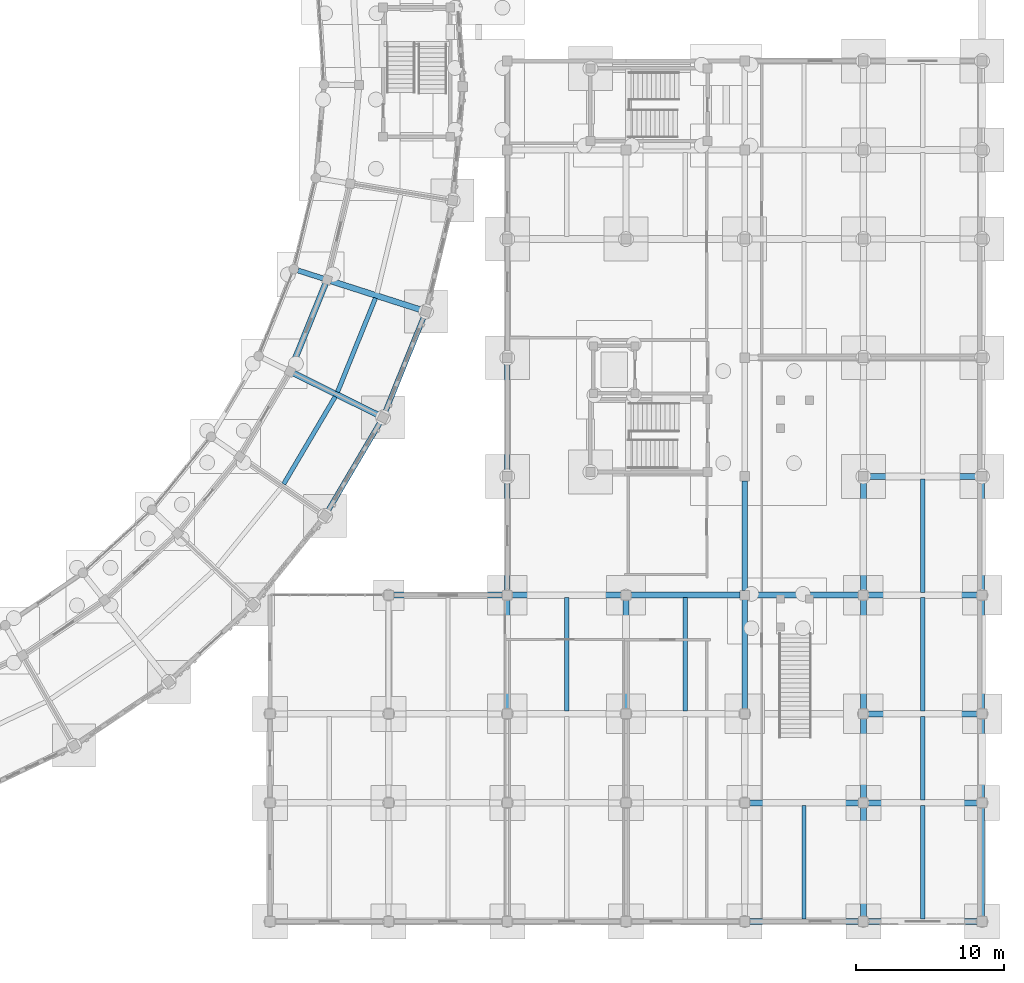
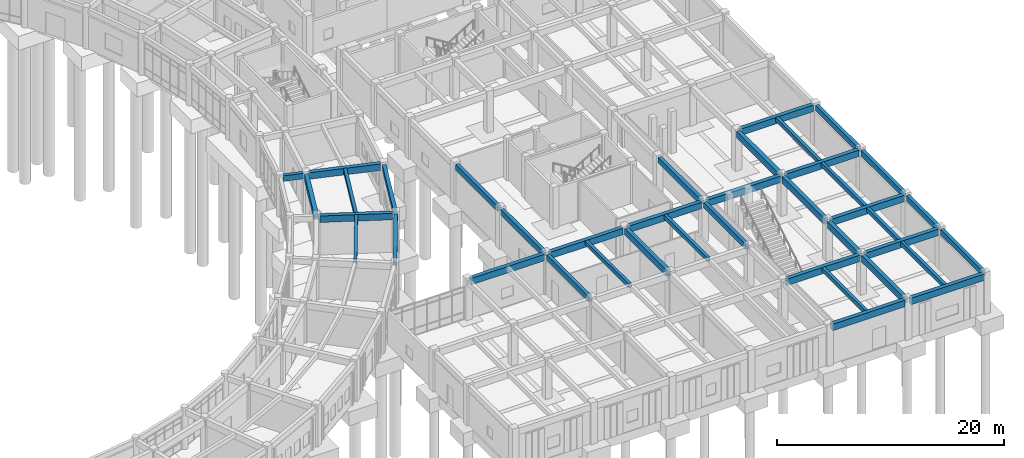
# One storey, part 84 of 153: 40 beams.
"""IFC4 building model written with IfcOpenShell, lengths in metres."""

from ifc_helpers import new_model, si_unit, direction, frame, origin, origin_2d, place, context, subcontext, project, spatial, rectangle, extrude, material, material_profile, profile_set, type_object, element, save


model = new_model("IFC4")

# Units and contexts
model_context = context("Model", 3, precision=1e-05, world=origin(), true_north=direction((0.0, 1.0)))
body_context = subcontext(model_context, "Body", "Model", "MODEL_VIEW")
ifc_project = project(units=[si_unit("LENGTHUNIT", "METRE"), si_unit("AREAUNIT", "SQUARE_METRE"), si_unit("VOLUMEUNIT", "CUBIC_METRE"), si_unit("PLANEANGLEUNIT", "RADIAN"), si_unit("MASSUNIT", "GRAM", prefix="KILO")], contexts=[model_context])

# Site, building, storey
site_placement = place(None, origin())
site = spatial("IfcSite", under=ifc_project, at=site_placement, CompositionType="ELEMENT")
building_placement = place(site_placement, origin())
building = spatial("IfcBuilding", under=site, at=building_placement, Name="Celadon Cloister-Ring School", CompositionType="ELEMENT")
storey_placement = place(building_placement, origin())
storey = spatial("IfcBuildingStorey", under=building, at=storey_placement, Name="L00", CompositionType="ELEMENT", Elevation=0.0)

# Beams
ifc_material_1 = material(Name="Concrete C35/45", Category="concrete")
ifc_material_profile_1 = material_profile(ifc_material_1, rectangle(XDim=0.39990234375, YDim=0.699951171875, at=origin_2d()), Name="RC400X700")
ifc_profile_set_1 = profile_set([ifc_material_profile_1], Name="Concrete C35/45")
beam_type_1 = type_object("IfcBeamType", Name="BT-01", PredefinedType="BEAM", material=ifc_profile_set_1)
for number, where, z_axis, x_axis, name in (
    (1, (150.0, 16.300048828125, 3.929931640625), (0.0, 1.0, 0.0), (-1.0, 0.0, 0.0), "Beam 1231"),
    (2, (166.0, 2.300048828125, 3.929931640625), (0.0, 1.0, 0.0), (-1.0, 0.0, 0.0), "Beam 1241"),
):
    element("IfcBeam", number, at=place(storey_placement, frame(where, z_axis=z_axis, x_axis=x_axis)), inside=storey, type_object=beam_type_1, Name=name, PredefinedType="BEAM", context=body_context, shape_type="SweptSolid", body=[
        extrude(rectangle(XDim=0.39990234375, YDim=0.699951171875, at=origin_2d()), origin(), (0.0, 0.0, 1.0), 7.39990234375),
    ])
beam_1_placement = place(storey_placement, frame((166.0, 10.300048828125, 3.929931640625), z_axis=(0.0, 1.0, 0.0), x_axis=(-1.0, 0.0, 0.0)))
element("IfcBeam", 3, at=beam_1_placement, inside=storey, type_object=beam_type_1, Name="Beam 1242", PredefinedType="BEAM", context=body_context, shape_type="SweptSolid", body=[
    extrude(rectangle(XDim=0.39990234375, YDim=0.699951171875, at=origin_2d()), origin(), (0.0, 0.0, 1.0), 5.39990234375),
])
for number, where, z_axis, x_axis, name in (
    (4, (166.0, 16.300048828125, 3.929931640625), (0.0, 1.0, 0.0), (-1.0, 0.0, 0.0), "Beam 1243"),
    (5, (166.0, 24.300048828125, 3.929931640625), (0.0, 1.0, 0.0), (-1.0, 0.0, 0.0), "Beam 1244"),
):
    element("IfcBeam", number, at=place(storey_placement, frame(where, z_axis=z_axis, x_axis=x_axis)), inside=storey, type_object=beam_type_1, Name=name, PredefinedType="BEAM", context=body_context, shape_type="SweptSolid", body=[
        extrude(rectangle(XDim=0.39990234375, YDim=0.699951171875, at=origin_2d()), origin(), (0.0, 0.0, 1.0), 7.39990234375),
    ])
ifc_material_2 = material(Name="Concrete C35/45", Category="concrete")
ifc_material_profile_2 = material_profile(ifc_material_2, rectangle(XDim=0.35009765625, YDim=0.60009765625, at=origin_2d()), Name="RC350X600")
ifc_profile_set_2 = profile_set([ifc_material_profile_2], Name="Concrete C35/45")
beam_type_2 = type_object("IfcBeamType", Name="BT-02", PredefinedType="BEAM", material=ifc_profile_set_2)
beam_2_placement = place(storey_placement, frame((129.587890625, 45.340087890625, 3.97998046875), z_axis=(-0.952385798673, 0.304895540286, 0.0), x_axis=(-0.304895540286, -0.952385798673, 0.0)))
element("IfcBeam", 6, at=beam_2_placement, inside=storey, type_object=beam_type_2, Name="Beam 0051", PredefinedType="BEAM", context=body_context, shape_type="SweptSolid", body=[
    extrude(rectangle(XDim=0.35009765625, YDim=0.60009765625, at=origin_2d()), origin(), (0.0, 0.0, 1.0), 1.7744140625),
])
for number, where, z_axis, x_axis, name in (
    (7, (142.0, 16.300048828125, 3.97998046875), (0.0, 1.0, 0.0), (-1.0, 0.0, 0.0), "Beam 1223"),
    (8, (142.0, 24.300048828125, 3.97998046875), (0.0, 1.0, 0.0), (-1.0, 0.0, 0.0), "Beam 1224"),
    (9, (142.0, 32.300048828125, 3.97998046875), (0.0, 1.0, 0.0), (-1.0, 0.0, 0.0), "Beam 1225"),
    (10, (158.0, 16.300048828125, 3.97998046875), (0.0, 1.0, 0.0), (-1.0, 0.0, 0.0), "Beam 1235"),
    (11, (158.0, 24.300048828125, 3.97998046875), (0.0, 1.0, 0.0), (-1.0, 0.0, 0.0), "Beam 1236"),
    (12, (174.0, 2.300048828125, 3.97998046875), (0.0, 1.0, 0.0), (-1.0, 0.0, 0.0), "Beam 1249"),
):
    element("IfcBeam", number, at=place(storey_placement, frame(where, z_axis=z_axis, x_axis=x_axis)), inside=storey, type_object=beam_type_2, Name=name, PredefinedType="BEAM", context=body_context, shape_type="SweptSolid", body=[
        extrude(rectangle(XDim=0.35009765625, YDim=0.60009765625, at=origin_2d()), origin(), (0.0, 0.0, 1.0), 7.39990234375),
    ])
beam_3_placement = place(storey_placement, frame((174.0, 10.300048828125, 3.97998046875), z_axis=(0.0, 1.0, 0.0), x_axis=(-1.0, 0.0, 0.0)))
element("IfcBeam", 13, at=beam_3_placement, inside=storey, type_object=beam_type_2, Name="Beam 1250", PredefinedType="BEAM", context=body_context, shape_type="SweptSolid", body=[
    extrude(rectangle(XDim=0.35009765625, YDim=0.60009765625, at=origin_2d()), origin(), (0.0, 0.0, 1.0), 5.39990234375),
])
for number, where, z_axis, x_axis, name in (
    (14, (174.0, 16.300048828125, 3.97998046875), (0.0, 1.0, 0.0), (-1.0, 0.0, 0.0), "Beam 1251"),
    (15, (174.0, 24.300048828125, 3.97998046875), (0.0, 1.0, 0.0), (-1.0, 0.0, 0.0), "Beam 1252"),
):
    element("IfcBeam", number, at=place(storey_placement, frame(where, z_axis=z_axis, x_axis=x_axis)), inside=storey, type_object=beam_type_2, Name=name, PredefinedType="BEAM", context=body_context, shape_type="SweptSolid", body=[
        extrude(rectangle(XDim=0.35009765625, YDim=0.60009765625, at=origin_2d()), origin(), (0.0, 0.0, 1.0), 7.39990234375),
    ])
ifc_material_3 = material(Name="Concrete C35/45", Category="concrete")
ifc_material_profile_3 = material_profile(ifc_material_3, rectangle(XDim=0.39990234375, YDim=0.699951171875, at=origin_2d()), Name="RC400X700")
ifc_profile_set_3 = profile_set([ifc_material_profile_3], Name="Concrete C35/45")
beam_type_3 = type_object("IfcBeamType", Name="GT-03", PredefinedType="USERDEFINED", material=ifc_profile_set_3)
for number, where, z_axis, x_axis, name in (
    (16, (133.35595703125, 36.110107421875, 3.929931640625), (-0.896658258814, 0.442723352559, 0.0), (-0.442723352559, -0.896658258814, 0.0), "Beam 0048"),
    (17, (136.22900390625, 43.2099609375, 3.929931640625), (-0.952209894137, 0.305444458957, 0.0), (-0.305444458957, -0.952209894137, 0.0), "Beam 0050"),
):
    element("IfcBeam", number, at=place(storey_placement, frame(where, z_axis=z_axis, x_axis=x_axis)), inside=storey, type_object=beam_type_3, Name=name, ObjectType="GIRDER", PredefinedType="USERDEFINED", context=body_context, shape_type="SweptSolid", body=[
        extrude(rectangle(XDim=0.39990234375, YDim=0.699951171875, at=origin_2d()), origin(), (0.0, 0.0, 1.0), 6.423828125),
    ])
beam_4_placement = place(storey_placement, frame((127.451904296875, 39.3310546875, 3.929931640625), z_axis=(0.375220519631, 0.926935575781, 0.0), x_axis=(-0.926935575781, 0.375220519631, 0.0)))
element("IfcBeam", 18, at=beam_4_placement, inside=storey, type_object=beam_type_3, Name="Beam 0162", ObjectType="GIRDER", PredefinedType="USERDEFINED", context=body_context, shape_type="SweptSolid", body=[
    extrude(rectangle(XDim=0.39990234375, YDim=0.699951171875, at=origin_2d()), origin(), (0.0, 0.0, 1.0), 6.116943359375),
])
for number, where, z_axis, x_axis, name in (
    (19, (158.300048828125, 2.0, 3.929931640625), (1.0, 0.0, 0.0), (0.0, 1.0, 0.0), "Beam 1185"),
    (20, (166.300048828125, 2.0, 3.929931640625), (1.0, 0.0, 0.0), (0.0, 1.0, 0.0), "Beam 1186"),
    (21, (158.300048828125, 10.0, 3.929931640625), (1.0, 0.0, 0.0), (0.0, 1.0, 0.0), "Beam 1191"),
    (22, (166.300048828125, 10.0, 3.929931640625), (1.0, 0.0, 0.0), (0.0, 1.0, 0.0), "Beam 1192"),
    (23, (166.300048828125, 16.0, 3.929931640625), (1.0, 0.0, 0.0), (0.0, 1.0, 0.0), "Beam 1197"),
    (24, (134.300048828125, 24.0, 3.929931640625), (1.0, 0.0, 0.0), (0.0, 1.0, 0.0), "Beam 1198"),
    (25, (142.300048828125, 24.0, 3.929931640625), (1.0, 0.0, 0.0), (0.0, 1.0, 0.0), "Beam 1199"),
    (26, (150.300048828125, 24.0, 3.929931640625), (1.0, 0.0, 0.0), (0.0, 1.0, 0.0), "Beam 1200"),
    (27, (158.300048828125, 24.0, 3.929931640625), (1.0, 0.0, 0.0), (0.0, 1.0, 0.0), "Beam 1201"),
    (28, (166.300048828125, 24.0, 3.929931640625), (1.0, 0.0, 0.0), (0.0, 1.0, 0.0), "Beam 1202"),
    (29, (166.300048828125, 32.0, 3.929931640625), (1.0, 0.0, 0.0), (0.0, 1.0, 0.0), "Beam 1203"),
):
    element("IfcBeam", number, at=place(storey_placement, frame(where, z_axis=z_axis, x_axis=x_axis)), inside=storey, type_object=beam_type_3, Name=name, ObjectType="GIRDER", PredefinedType="USERDEFINED", context=body_context, shape_type="SweptSolid", body=[
        extrude(rectangle(XDim=0.39990234375, YDim=0.699951171875, at=origin_2d()), origin(), (0.0, 0.0, 1.0), 7.39990234375),
    ])
ifc_material_4 = material(Name="Concrete C35/45", Category="concrete")
ifc_material_profile_4 = material_profile(ifc_material_4, rectangle(XDim=0.300048828125, YDim=0.449951171875, at=origin_2d()), Name="RC300X450")
ifc_profile_set_4 = profile_set([ifc_material_profile_4], Name="Concrete C35/45")
beam_type_4 = type_object("IfcBeamType", Name="JT-01", PredefinedType="JOIST", material=ifc_profile_set_4)
beam_5_placement = place(storey_placement, frame((126.926025390625, 31.488037109375, 4.054931640625), z_axis=(0.507998611561, 0.861357887671, 0.0), x_axis=(-0.861357887671, 0.507998611561, 0.0)))
element("IfcBeam", 30, at=beam_5_placement, inside=storey, type_object=beam_type_4, Name="Beam 0160", PredefinedType="JOIST", context=body_context, shape_type="SweptSolid", body=[
    extrude(rectangle(XDim=0.300048828125, YDim=0.449951171875, at=origin_2d()), origin(), (0.0, 0.0, 1.0), 6.83447265625),
])
beam_6_placement = place(storey_placement, frame((130.552978515625, 37.68798828125, 4.054931640625), z_axis=(0.374947237953, 0.927046152439, 0.0), x_axis=(-0.927046152439, 0.374947237953, 0.0)))
element("IfcBeam", 31, at=beam_6_placement, inside=storey, type_object=beam_type_4, Name="Beam 0164", PredefinedType="JOIST", context=body_context, shape_type="SweptSolid", body=[
    extrude(rectangle(XDim=0.300048828125, YDim=0.449951171875, at=origin_2d()), origin(), (0.0, 0.0, 1.0), 6.835693359375),
])
for number, where, z_axis, x_axis, name in (
    (32, (146.0, 16.175048828125, 4.054931640625), (0.0, 1.0, 0.0), (-1.0, 0.0, 0.0), "Beam 1264"),
    (33, (154.0, 16.175048828125, 4.054931640625), (0.0, 1.0, 0.0), (-1.0, 0.0, 0.0), "Beam 1268"),
    (34, (162.0, 2.175048828125, 4.054931640625), (0.0, 1.0, 0.0), (-1.0, 0.0, 0.0), "Beam 1270"),
    (35, (170.0, 2.175048828125, 4.054931640625), (0.0, 1.0, 0.0), (-1.0, 0.0, 0.0), "Beam 1274"),
):
    element("IfcBeam", number, at=place(storey_placement, frame(where, z_axis=z_axis, x_axis=x_axis)), inside=storey, type_object=beam_type_4, Name=name, PredefinedType="JOIST", context=body_context, shape_type="SweptSolid", body=[
        extrude(rectangle(XDim=0.300048828125, YDim=0.449951171875, at=origin_2d()), origin(), (0.0, 0.0, 1.0), 7.64990234375),
    ])
beam_7_placement = place(storey_placement, frame((170.0, 10.175048828125, 4.054931640625), z_axis=(0.0, 1.0, 0.0), x_axis=(-1.0, 0.0, 0.0)))
element("IfcBeam", 36, at=beam_7_placement, inside=storey, type_object=beam_type_4, Name="Beam 1275", PredefinedType="JOIST", context=body_context, shape_type="SweptSolid", body=[
    extrude(rectangle(XDim=0.300048828125, YDim=0.449951171875, at=origin_2d()), origin(), (0.0, 0.0, 1.0), 5.64990234375),
])
for number, where, z_axis, x_axis, name in (
    (37, (170.0, 16.175048828125, 4.054931640625), (0.0, 1.0, 0.0), (-1.0, 0.0, 0.0), "Beam 1276"),
    (38, (170.0, 24.175048828125, 4.054931640625), (0.0, 1.0, 0.0), (-1.0, 0.0, 0.0), "Beam 1277"),
):
    element("IfcBeam", number, at=place(storey_placement, frame(where, z_axis=z_axis, x_axis=x_axis)), inside=storey, type_object=beam_type_4, Name=name, PredefinedType="JOIST", context=body_context, shape_type="SweptSolid", body=[
        extrude(rectangle(XDim=0.300048828125, YDim=0.449951171875, at=origin_2d()), origin(), (0.0, 0.0, 1.0), 7.64990234375),
    ])
ifc_material_5 = material(Name="Concrete C35/45", Category="concrete")
ifc_material_profile_5 = material_profile(ifc_material_5, rectangle(XDim=0.35009765625, YDim=0.60009765625, at=origin_2d()), Name="RC350X600")
ifc_profile_set_5 = profile_set([ifc_material_profile_5], Name="Concrete C35/45")
beam_type_5 = type_object("IfcBeamType", Name="SP-01", PredefinedType="SPANDREL", material=ifc_profile_set_5)
beam_8_placement = place(storey_placement, frame((129.864013671875, 29.59912109375, 3.97998046875), z_axis=(0.507956908895, 0.861382481077, 0.0), x_axis=(-0.861382481077, 0.507956908895, 0.0)))
element("IfcBeam", 39, at=beam_8_placement, inside=storey, type_object=beam_type_5, Name="Beam 0157", PredefinedType="SPANDREL", context=body_context, shape_type="SweptSolid", body=[
    extrude(rectangle(XDim=0.35009765625, YDim=0.60009765625, at=origin_2d()), origin(), (0.0, 0.0, 1.0), 7.104736328125),
])
beam_9_placement = place(storey_placement, frame((133.738037109375, 36.2548828125, 3.97998046875), z_axis=(0.375026116818, 0.927014245686, 0.0), x_axis=(-0.927014245686, 0.375026116818, 0.0)))
element("IfcBeam", 40, at=beam_9_placement, inside=storey, type_object=beam_type_5, Name="Beam 0161", PredefinedType="SPANDREL", context=body_context, shape_type="SweptSolid", body=[
    extrude(rectangle(XDim=0.35009765625, YDim=0.60009765625, at=origin_2d()), origin(), (0.0, 0.0, 1.0), 7.103759765625),
])

save(model, "model.ifc")
